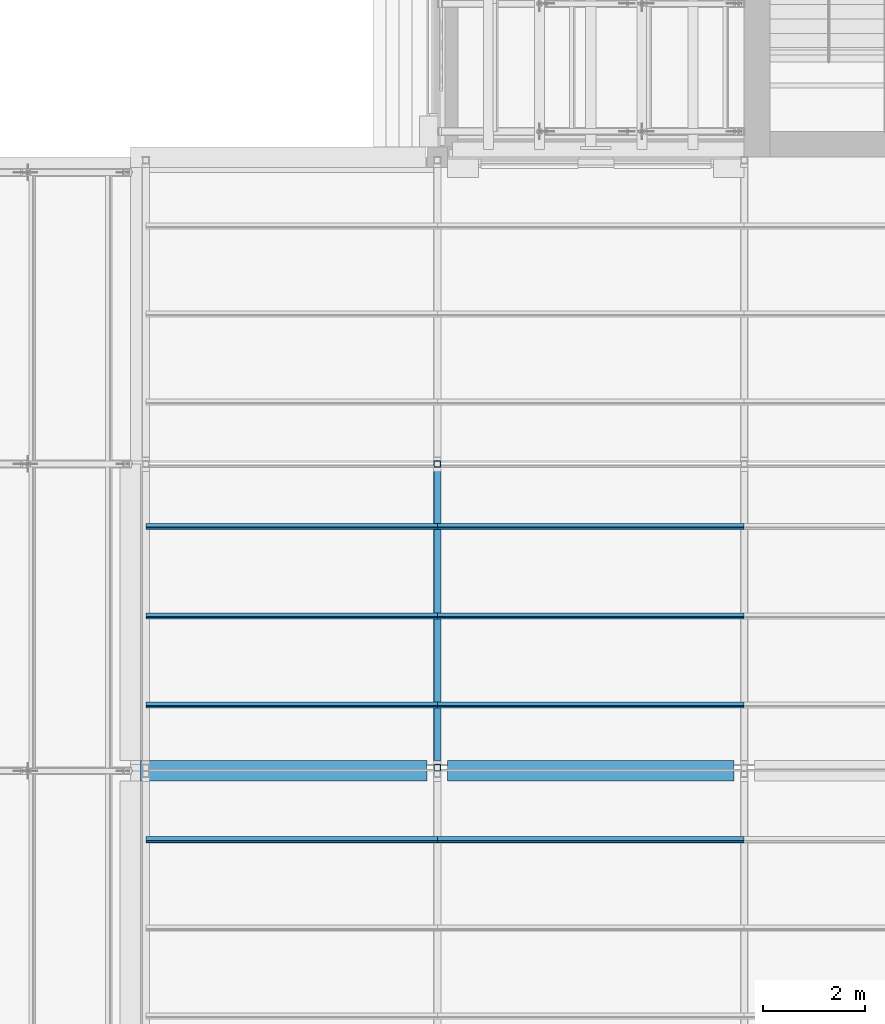
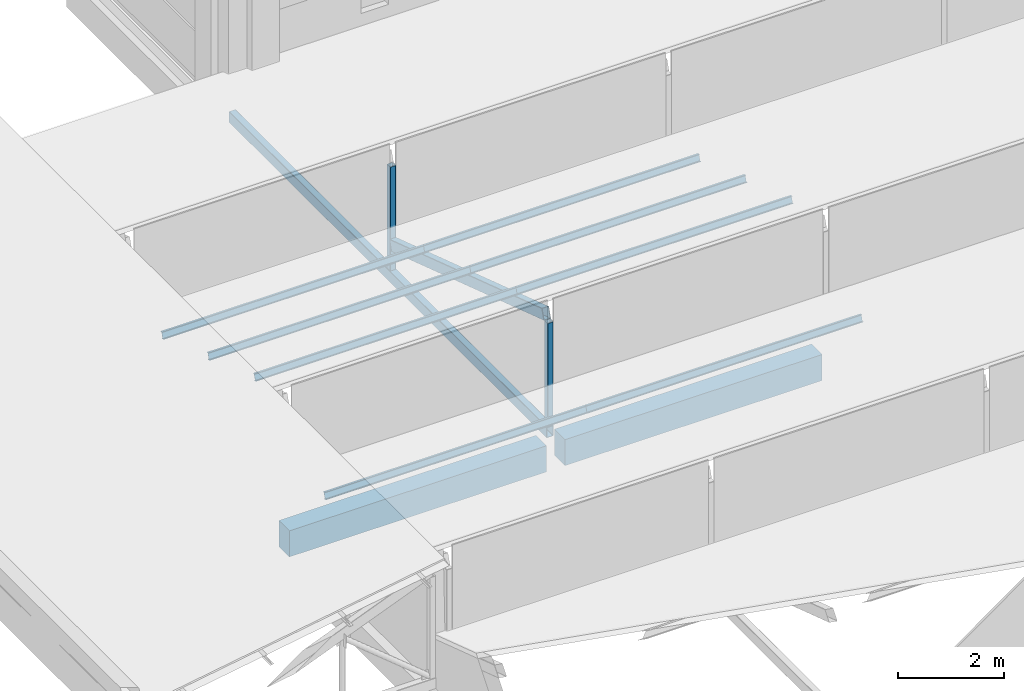
# One storey, part 11 of 118: 12 members, 2 beams.
"""IFC4 building model written with IfcOpenShell, lengths in metres."""

from ifc_helpers import new_model, si_unit, direction, frame, origin, origin_2d, place, context, subcontext, project, spatial, rectangle, hollow_rectangle, i_section, extrude, material, material_profile, profile_set, type_object, element, save


model = new_model("IFC4")

# Units and contexts
model_context = context("Model", 3, precision=1e-05, world=origin(), true_north=direction((0.0, 1.0)))
body_context = subcontext(model_context, "Body", "Model", "MODEL_VIEW")
ifc_project = project(units=[si_unit("LENGTHUNIT", "METRE"), si_unit("AREAUNIT", "SQUARE_METRE"), si_unit("VOLUMEUNIT", "CUBIC_METRE"), si_unit("PLANEANGLEUNIT", "RADIAN"), si_unit("MASSUNIT", "GRAM", prefix="KILO")], contexts=[model_context])

# Site, building, storey
site_placement = place(None, origin())
site = spatial("IfcSite", under=ifc_project, at=site_placement, CompositionType="ELEMENT")
building_placement = place(site_placement, origin())
building = spatial("IfcBuilding", under=site, at=building_placement, Name="Saffron Lane Theatres", CompositionType="ELEMENT")
storey_placement = place(building_placement, frame((0.0, 0.0, 16.5)))
storey = spatial("IfcBuildingStorey", under=building, at=storey_placement, Name="L03", CompositionType="ELEMENT", Elevation=16.5)

# Beams
ifc_material_1 = material(Name="Concrete N40 (40 MPa)", Category="concrete")
ifc_material_profile_1 = material_profile(ifc_material_1, rectangle(XDim=0.39990234375, YDim=0.60009765625, at=origin_2d()))
ifc_profile_set_1 = profile_set([ifc_material_profile_1], Name="Concrete N40 (40 MPa)")
beam_type = type_object("IfcBeamType", Name="RC-BEAM 400x600", PredefinedType="BEAM", material=ifc_profile_set_1)
for number, where, z_axis, x_axis, name in (
    (1, (6.199951171875, 18.0, -0.300048828125), (1.0, 0.0, 0.0), (0.0, 1.0, 0.0), "beam-eaves-x180-242"),
    (2, (12.199951171875, 18.0, -0.300048828125), (1.0, 0.0, 0.0), (0.0, 1.0, 0.0), "beam-eaves-x180-302"),
):
    element("IfcBeam", number, at=place(storey_placement, frame(where, z_axis=z_axis, x_axis=x_axis)), inside=storey, type_object=beam_type, Name=name, PredefinedType="BEAM", context=body_context, shape_type="SweptSolid", body=[
        extrude(rectangle(XDim=0.39990234375, YDim=0.60009765625, at=origin_2d()), origin(), (0.0, 0.0, 1.0), 5.60009765625),
    ])

# Members
ifc_material_2 = material(Name="Steel Grade 350", Category="steel")
ifc_material_profile_2 = material_profile(ifc_material_2, hollow_rectangle(XDim=0.125, YDim=0.125, WallThickness=0.006103515625, InnerFilletRadius=0.0029296875, OuterFilletRadius=0.009033203125, at=origin_2d()))
ifc_profile_set_2 = profile_set([ifc_material_profile_2], Name="Steel Grade 350")
member_type_1 = type_object("IfcMemberType", Name="ST-STUDIO POST 125x125x6 SHS", PredefinedType="POST", material=ifc_profile_set_2)
for number, where, z_axis, x_axis, name in (
    (3, (12.0, 18.0625, 0.25), (0.0, 0.0, 1.0), (1.0, 0.0, 0.0), "GSP8"),
    (4, (12.0, 24.0, 0.25), (0.0, 0.0, 1.0), (1.0, 0.0, 0.0), "GSP10"),
):
    element("IfcMember", number, at=place(storey_placement, frame(where, z_axis=z_axis, x_axis=x_axis)), inside=storey, type_object=member_type_1, Name=name, PredefinedType="POST", context=body_context, shape_type="SweptSolid", body=[
        extrude(hollow_rectangle(XDim=0.125, YDim=0.125, WallThickness=0.006103515625, InnerFilletRadius=0.0029296875, OuterFilletRadius=0.009033203125, at=origin_2d()), origin(), (0.0, 0.0, 1.0), 2.388671875),
    ])
ifc_material_3 = material(Name="Steel Grade 350", Category="steel")
ifc_material_profile_3 = material_profile(ifc_material_3, i_section(OverallWidth=0.074951171875, OverallDepth=0.155029296875, WebThickness=0.006103515625, FlangeThickness=0.009521484375, FilletRadius=0.008056640625, at=origin_2d()))
ifc_profile_set_3 = profile_set([ifc_material_profile_3], Name="Steel Grade 350")
member_type_2 = type_object("IfcMemberType", Name="ST-STUDIO PURLIN 150UB18.0", PredefinedType="PURLIN", material=ifc_profile_set_3)
member_1_placement = place(storey_placement, frame((6.300048828125, 16.652587890625, 1.468994140625), z_axis=(1.0, 0.0, 0.0), x_axis=(0.0, 0.949628648787, -0.313377455162)))
element("IfcMember", 5, at=member_1_placement, inside=storey, type_object=member_type_2, Name="GBU73", PredefinedType="PURLIN", context=body_context, shape_type="SweptSolid", body=[
    extrude(i_section(OverallWidth=0.074951171875, OverallDepth=0.155029296875, WebThickness=0.006103515625, FlangeThickness=0.009521484375, FilletRadius=0.008056640625, at=origin_2d()), origin(), (0.0, 0.0, 1.0), 5.699951171875),
])
member_2_placement = place(storey_placement, frame((12.0, 16.652587890625, 1.468994140625), z_axis=(1.0, 0.0, 0.0), x_axis=(0.0, 0.949628648787, -0.313377455162)))
element("IfcMember", 6, at=member_2_placement, inside=storey, type_object=member_type_2, Name="GBU74", PredefinedType="PURLIN", context=body_context, shape_type="SweptSolid", body=[
    extrude(i_section(OverallWidth=0.074951171875, OverallDepth=0.155029296875, WebThickness=0.006103515625, FlangeThickness=0.009521484375, FilletRadius=0.008056640625, at=origin_2d()), origin(), (0.0, 0.0, 1.0), 6.0),
])
member_3_placement = place(storey_placement, frame((6.300048828125, 19.28759765625, 2.60009765625), z_axis=(1.0, 0.0, 0.0), x_axis=(0.0, 0.949628648787, -0.313377455162)))
element("IfcMember", 7, at=member_3_placement, inside=storey, type_object=member_type_2, Name="GSU37", PredefinedType="PURLIN", context=body_context, shape_type="SweptSolid", body=[
    extrude(i_section(OverallWidth=0.074951171875, OverallDepth=0.155029296875, WebThickness=0.006103515625, FlangeThickness=0.009521484375, FilletRadius=0.008056640625, at=origin_2d()), origin(), (0.0, 0.0, 1.0), 5.699951171875),
])
member_4_placement = place(storey_placement, frame((12.0, 19.28759765625, 2.60009765625), z_axis=(1.0, 0.0, 0.0), x_axis=(0.0, 0.949628648787, -0.313377455162)))
element("IfcMember", 8, at=member_4_placement, inside=storey, type_object=member_type_2, Name="GSU38", PredefinedType="PURLIN", context=body_context, shape_type="SweptSolid", body=[
    extrude(i_section(OverallWidth=0.074951171875, OverallDepth=0.155029296875, WebThickness=0.006103515625, FlangeThickness=0.009521484375, FilletRadius=0.008056640625, at=origin_2d()), origin(), (0.0, 0.0, 1.0), 6.0),
])
member_5_placement = place(storey_placement, frame((6.300048828125, 21.03125, 2.024658203125), z_axis=(1.0, 0.0, 0.0), x_axis=(0.0, 0.949628648787, -0.313377455162)))
element("IfcMember", 9, at=member_5_placement, inside=storey, type_object=member_type_2, Name="GSU42", PredefinedType="PURLIN", context=body_context, shape_type="SweptSolid", body=[
    extrude(i_section(OverallWidth=0.074951171875, OverallDepth=0.155029296875, WebThickness=0.006103515625, FlangeThickness=0.009521484375, FilletRadius=0.008056640625, at=origin_2d()), origin(), (0.0, 0.0, 1.0), 5.699951171875),
])
member_6_placement = place(storey_placement, frame((12.0, 21.03125, 2.024658203125), z_axis=(1.0, 0.0, 0.0), x_axis=(0.0, 0.949628648787, -0.313377455162)))
element("IfcMember", 10, at=member_6_placement, inside=storey, type_object=member_type_2, Name="GSU43", PredefinedType="PURLIN", context=body_context, shape_type="SweptSolid", body=[
    extrude(i_section(OverallWidth=0.074951171875, OverallDepth=0.155029296875, WebThickness=0.006103515625, FlangeThickness=0.009521484375, FilletRadius=0.008056640625, at=origin_2d()), origin(), (0.0, 0.0, 1.0), 6.0),
])
member_7_placement = place(storey_placement, frame((6.300048828125, 22.77490234375, 1.44921875), z_axis=(1.0, 0.0, 0.0), x_axis=(0.0, 0.949628648787, -0.313377455162)))
element("IfcMember", 11, at=member_7_placement, inside=storey, type_object=member_type_2, Name="GSU47", PredefinedType="PURLIN", context=body_context, shape_type="SweptSolid", body=[
    extrude(i_section(OverallWidth=0.074951171875, OverallDepth=0.155029296875, WebThickness=0.006103515625, FlangeThickness=0.009521484375, FilletRadius=0.008056640625, at=origin_2d()), origin(), (0.0, 0.0, 1.0), 5.699951171875),
])
member_8_placement = place(storey_placement, frame((12.0, 22.77490234375, 1.44921875), z_axis=(1.0, 0.0, 0.0), x_axis=(0.0, 0.949628648787, -0.313377455162)))
element("IfcMember", 12, at=member_8_placement, inside=storey, type_object=member_type_2, Name="GSU48", PredefinedType="PURLIN", context=body_context, shape_type="SweptSolid", body=[
    extrude(i_section(OverallWidth=0.074951171875, OverallDepth=0.155029296875, WebThickness=0.006103515625, FlangeThickness=0.009521484375, FilletRadius=0.008056640625, at=origin_2d()), origin(), (0.0, 0.0, 1.0), 6.0),
])
ifc_material_4 = material(Name="Steel Grade 350", Category="steel")
ifc_material_profile_4 = material_profile(ifc_material_4, hollow_rectangle(XDim=0.14990234375, YDim=0.25, WallThickness=0.009033203125, InnerFilletRadius=0.00439453125, OuterFilletRadius=0.013427734375, at=origin_2d()))
ifc_profile_set_4 = profile_set([ifc_material_profile_4], Name="Steel Grade 350")
member_type_3 = type_object("IfcMemberType", Name="ST-STUDIO TRUSS CHORD 250x150x9 RHS", PredefinedType="CHORD", material=ifc_profile_set_4)
member_9_placement = place(storey_placement, frame((12.0, 18.02001953125, 0.125), z_axis=(0.0, 1.0, 0.0), x_axis=(-1.0, 0.0, 0.0)))
element("IfcMember", 13, at=member_9_placement, inside=storey, type_object=member_type_3, Name="GST7", PredefinedType="CHORD", context=body_context, shape_type="SweptSolid", body=[
    extrude(hollow_rectangle(XDim=0.14990234375, YDim=0.25, WallThickness=0.009033203125, InnerFilletRadius=0.00439453125, OuterFilletRadius=0.013427734375, at=origin_2d()), origin(), (0.0, 0.0, 1.0), 11.97998046875),
])
member_10_placement = place(storey_placement, frame((12.0, 18.1640625, 2.757568359375), z_axis=(0.0, 0.949629130372, -0.313375995807), x_axis=(-1.0, 0.0, 0.0)))
element("IfcMember", 14, at=member_10_placement, inside=storey, type_object=member_type_3, Name="GSC9", PredefinedType="CHORD", context=body_context, shape_type="SweptSolid", body=[
    extrude(hollow_rectangle(XDim=0.14990234375, YDim=0.25, WallThickness=0.009033203125, InnerFilletRadius=0.00439453125, OuterFilletRadius=0.013427734375, at=origin_2d()), origin(), (0.0, 0.0, 1.0), 6.03857421875),
])

save(model, "model.ifc")
